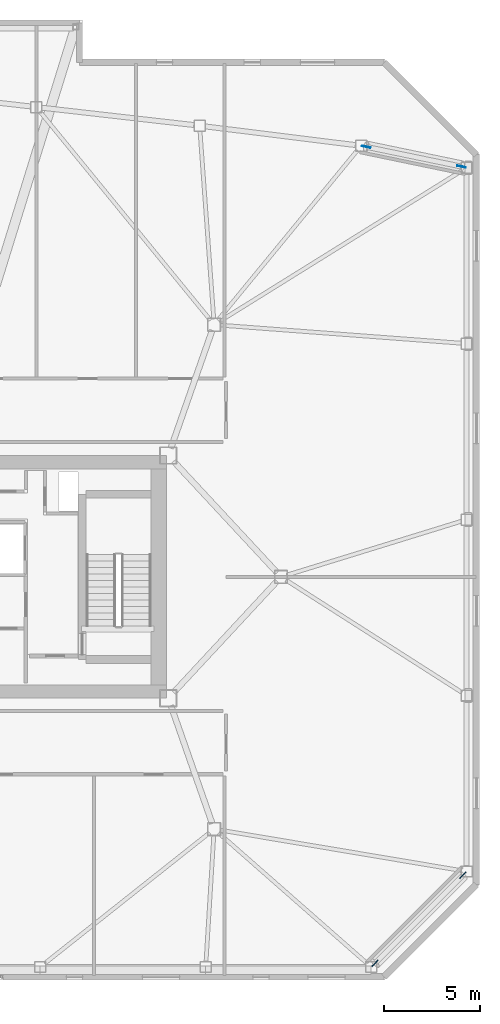
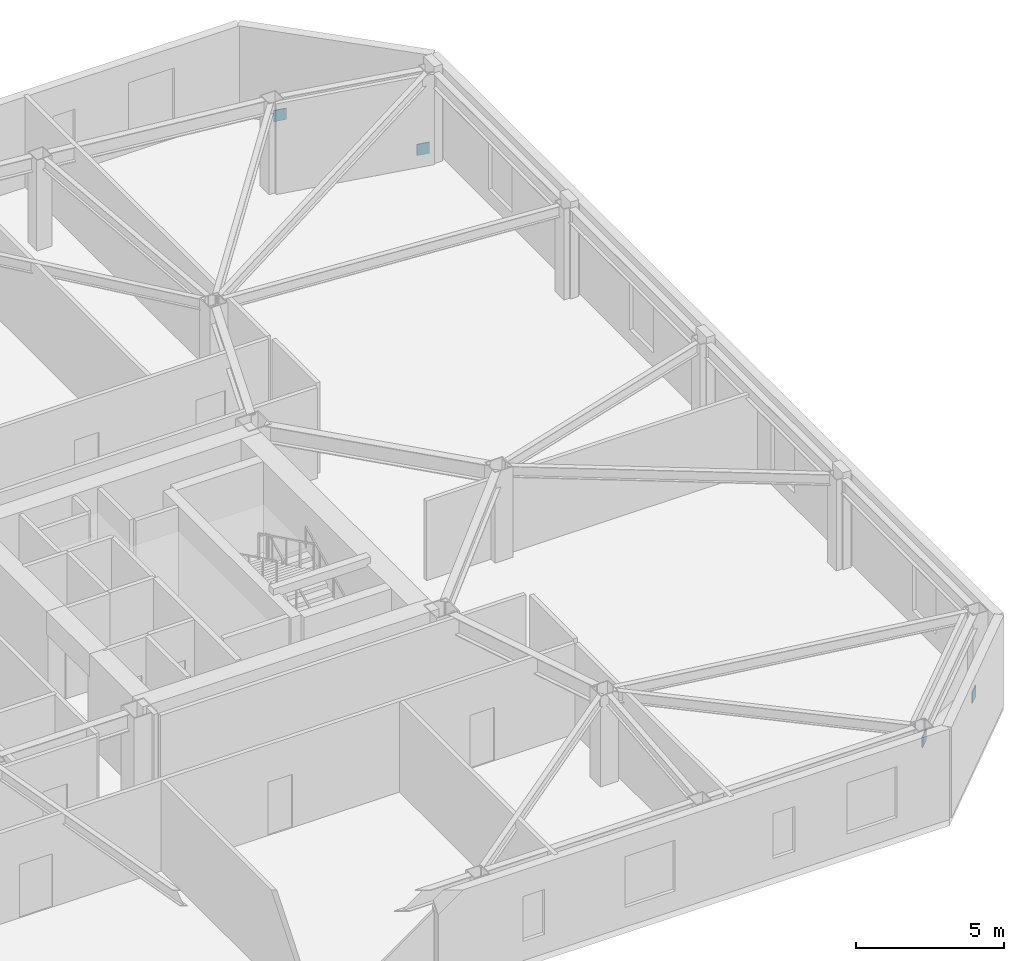
# One storey, part 17 of 18: 4 discrete accessories.
"""IFC4 building model written with IfcOpenShell, lengths in metres."""

from ifc_helpers import new_model, si_unit, direction, frame, origin, origin_2d, place, context, subcontext, project, spatial, rectangle, extrude, material, type_object, element, save


model = new_model("IFC4")

# Units and contexts
model_context = context("Model", 3, precision=1e-05, world=origin(), true_north=direction((0.0, 1.0)))
body_context = subcontext(model_context, "Body", "Model", "MODEL_VIEW")
ifc_project = project(units=[si_unit("LENGTHUNIT", "METRE"), si_unit("AREAUNIT", "SQUARE_METRE"), si_unit("VOLUMEUNIT", "CUBIC_METRE"), si_unit("PLANEANGLEUNIT", "RADIAN"), si_unit("MASSUNIT", "GRAM", prefix="KILO")], contexts=[model_context])

# Site, building, storey
site_placement = place(None, origin())
site = spatial("IfcSite", under=ifc_project, at=site_placement, CompositionType="ELEMENT")
building_placement = place(site_placement, origin())
building = spatial("IfcBuilding", under=site, at=building_placement, Name="Tavrogorsk Clinical Tower", CompositionType="ELEMENT")
storey_placement = place(building_placement, frame((0.0, 0.0, 180.199951171875)))
storey = spatial("IfcBuildingStorey", under=building, at=storey_placement, Name="L41", CompositionType="ELEMENT", Elevation=180.199951171875)

# Discrete accessories
ifc_material = material(Name="Structural steel S440", Category="steel")
discrete_accessory_type = type_object("IfcDiscreteAccessoryType", Name="GussetPlateBracket_25", PredefinedType="BRACKET", material=ifc_material)
for number, where, z_axis, x_axis, name in (
    (1, (37.517333984375, -15.62255859375, 0.18310546875), (0.0, 0.0, 1.0), (-0.707106781187, -0.707106781187, 0.0), "L41 Brace Gusset Plate EXOCRN-L41-1-A"),
    (2, (32.922607421875, -20.217529296875, 2.7470703125), (0.0, 0.0, 1.0), (-0.707106781187, -0.707106781187, 0.0), "L41 Brace Gusset Plate EXOCRN-L41-1-B"),
    (3, (37.44970703125, 21.47607421875, 0.20654296875), (0.0, 0.0, 1.0), (-0.979187402648, 0.202958198889, 0.0), "L41 Brace Gusset Plate EXOCRN-L41-2-A"),
    (4, (32.461669921875, 22.509765625, 2.7236328125), (0.0, 0.0, 1.0), (-0.979187402648, 0.202958198889, 0.0), "L41 Brace Gusset Plate EXOCRN-L41-2-B"),
):
    element("IfcDiscreteAccessory", number, at=place(storey_placement, frame(where, z_axis=z_axis, x_axis=x_axis)), inside=storey, type_object=discrete_accessory_type, Name=name, PredefinedType="BRACKET", context=body_context, shape_type="SweptSolid", body=[
        extrude(rectangle(XDim=0.4599609375, YDim=0.0400390625, at=origin_2d()), origin(), (0.0, 0.0, 1.0), 0.4599609375),
    ])

save(model, "model.ifc")
